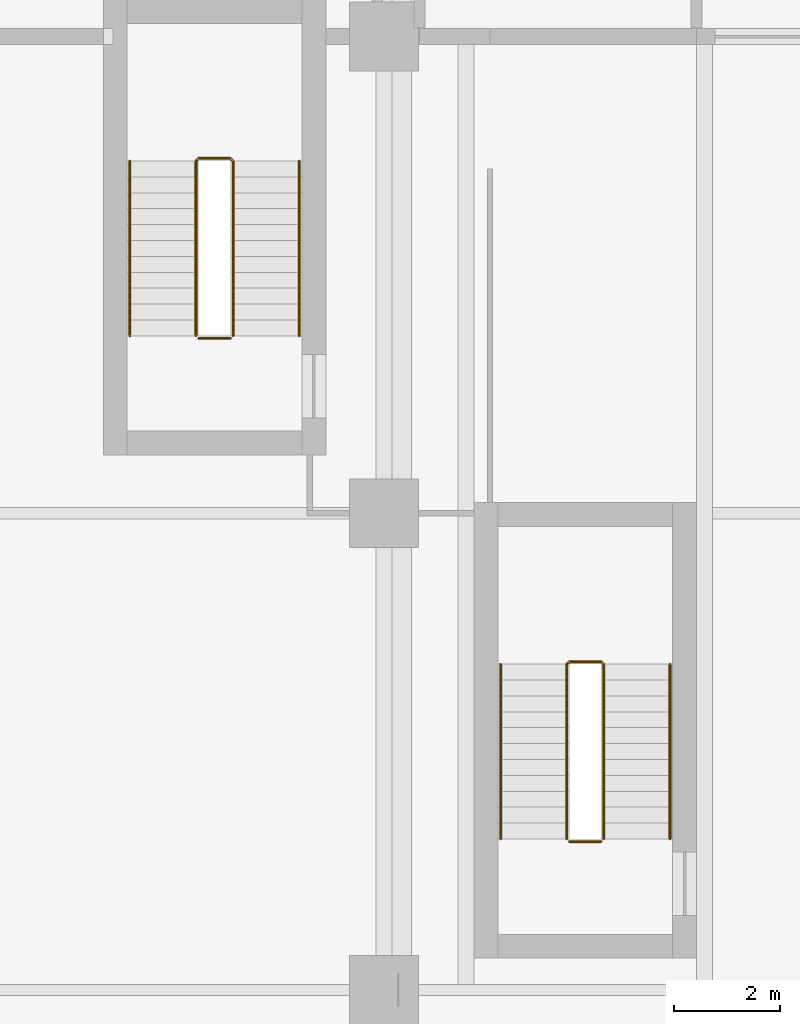
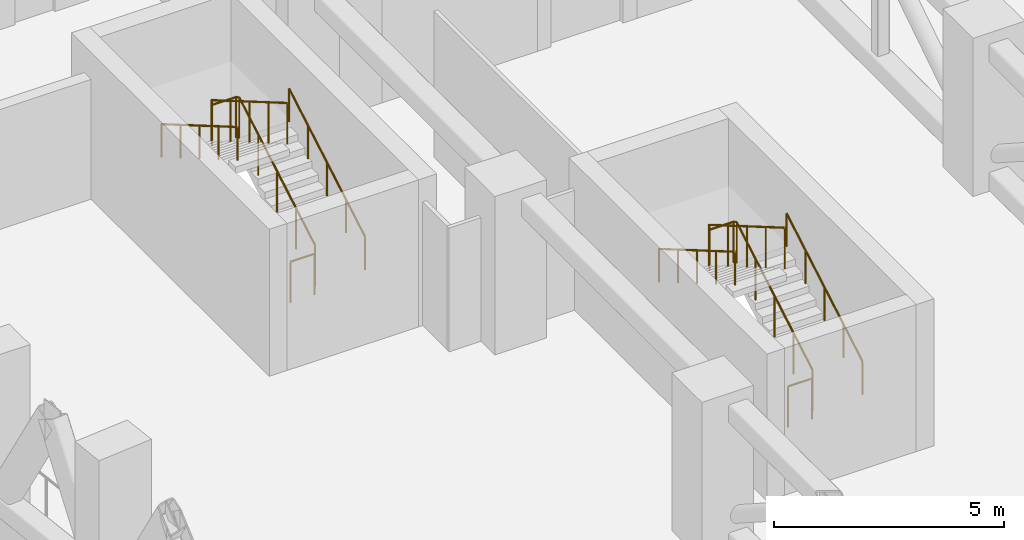
# One storey, part 23 of 25: 8 railings.
"""IFC4 building model written with IfcOpenShell, lengths in metres."""

from ifc_helpers import new_model, si_unit, direction, frame, origin, origin_2d, place, context, subcontext, project, spatial, circle, extrude, material, type_object, element, save


model = new_model("IFC4")

# Units and contexts
model_context = context("Model", 3, precision=1e-05, world=origin(), true_north=direction((0.0, 1.0)))
body_context = subcontext(model_context, "Body", "Model", "MODEL_VIEW")
ifc_project = project(units=[si_unit("LENGTHUNIT", "METRE"), si_unit("AREAUNIT", "SQUARE_METRE"), si_unit("VOLUMEUNIT", "CUBIC_METRE"), si_unit("PLANEANGLEUNIT", "RADIAN"), si_unit("MASSUNIT", "GRAM", prefix="KILO")], contexts=[model_context])

# Site, building, storey
site_placement = place(None, origin())
site = spatial("IfcSite", under=ifc_project, at=site_placement, CompositionType="ELEMENT")
building_placement = place(site_placement, origin())
building = spatial("IfcBuilding", under=site, at=building_placement, Name="Brondeck Convention Tower", CompositionType="ELEMENT")
storey_placement = place(building_placement, frame((0.0, 0.0, 84.300048828125)))
storey = spatial("IfcBuildingStorey", under=building, at=storey_placement, Name="L19", CompositionType="ELEMENT", Elevation=84.300048828125)

# Railings
ifc_material = material(Name="Steel S355", Category="steel")
railing_type_1 = type_object("IfcRailingType", Name="Stair guard 1100", PredefinedType="GUARDRAIL", material=ifc_material)
railing_1_placement = place(storey_placement, frame((9.14990234375, 21.35009765625, 0.175048828125)))
element("IfcRailing", 1, at=railing_1_placement, inside=storey, type_object=railing_type_1, Name="L19 ST-BE stair guard 1", PredefinedType="GUARDRAIL", context=body_context, shape_type="SweptSolid", body=[
    extrude(circle(Radius=0.02392578125, at=origin_2d()), frame((0.0, 0.0, 1.076171875), z_axis=(0.0, 0.863788172461, 0.503855131081), x_axis=(-1.0, 0.0, 0.0)), (0.0, 0.0, 1.0), 3.820068359375),
    extrude(circle(Radius=0.02392578125, at=origin_2d()), frame((0.0, 3.2998046875, 3.0009765625), z_axis=(-0.705375805398, 0.708833529934, 0.0), x_axis=(-0.708833529934, -0.705375805398, 0.0)), (0.0, 0.0, 1.0), 0.070556640625),
    extrude(circle(Radius=0.02392578125, at=origin_2d()), frame((-0.0498046875, 3.349853515625, 3.0009765625), z_axis=(-1.0, 0.0, 0.0), x_axis=(0.0, -1.0, 0.0)), (0.0, 0.0, 1.0), 0.60009765625),
    extrude(circle(Radius=0.02392578125, at=origin_2d()), frame((-0.64990234375, 3.349853515625, 3.0009765625), z_axis=(-0.265065253269, -0.265065253269, 0.927081885822), x_axis=(0.707106781187, -0.707106781187, 0.0)), (0.0, 0.0, 1.0), 0.188720703125),
    extrude(circle(Radius=0.02392578125, at=origin_2d()), frame((-0.699951171875, 3.2998046875, 3.17578125), z_axis=(0.0, -0.863760357493, 0.503902812876), x_axis=(1.0, 0.0, 0.0)), (0.0, 0.0, 1.0), 3.8203125),
    extrude(circle(Radius=0.02099609375, at=origin_2d()), origin(), (0.0, 0.0, 1.0), 1.052001953125),
    extrude(circle(Radius=0.02099609375, at=origin_2d()), frame((0.0, 0.824951171875, 0.481201171875)), (0.0, 0.0, 1.0), 1.052001953125),
    extrude(circle(Radius=0.02099609375, at=origin_2d()), frame((0.0, 1.64990234375, 0.96240234375)), (0.0, 0.0, 1.0), 1.052001953125),
    extrude(circle(Radius=0.02099609375, at=origin_2d()), frame((0.0, 2.474853515625, 1.443603515625)), (0.0, 0.0, 1.0), 1.052001953125),
    extrude(circle(Radius=0.02099609375, at=origin_2d()), frame((0.0, 3.2998046875, 1.9248046875)), (0.0, 0.0, 1.0), 1.052001953125),
    extrude(circle(Radius=0.02099609375, at=origin_2d()), frame((-0.0498046875, 3.349853515625, 1.9248046875)), (0.0, 0.0, 1.0), 1.052001953125),
    extrude(circle(Radius=0.02099609375, at=origin_2d()), frame((-0.64990234375, 3.349853515625, 1.9248046875)), (0.0, 0.0, 1.0), 1.052001953125),
    extrude(circle(Radius=0.02099609375, at=origin_2d()), frame((-0.699951171875, 3.2998046875, 2.099853515625)), (0.0, 0.0, 1.0), 1.052001953125),
    extrude(circle(Radius=0.02099609375, at=origin_2d()), frame((-0.699951171875, 2.474853515625, 2.5810546875)), (0.0, 0.0, 1.0), 1.052001953125),
    extrude(circle(Radius=0.02099609375, at=origin_2d()), frame((-0.699951171875, 1.64990234375, 3.0625)), (0.0, 0.0, 1.0), 1.052001953125),
    extrude(circle(Radius=0.02099609375, at=origin_2d()), frame((-0.699951171875, 0.824951171875, 3.543701171875)), (0.0, 0.0, 1.0), 1.052001953125),
    extrude(circle(Radius=0.02099609375, at=origin_2d()), frame((-0.699951171875, 0.0, 4.02490234375)), (0.0, 0.0, 1.0), 1.052001953125),
])
railing_2_placement = place(storey_placement, frame((9.10009765625, 21.300048828125, 0.0)))
element("IfcRailing", 2, at=railing_2_placement, inside=storey, type_object=railing_type_1, Name="L19 ST-BE stair guard 2", PredefinedType="GUARDRAIL", context=body_context, shape_type="SweptSolid", body=[
    extrude(circle(Radius=0.02392578125, at=origin_2d()), frame((0.0, 0.0, 1.076171875), z_axis=(-1.0, 0.0, 0.0), x_axis=(0.0, -1.0, 0.0)), (0.0, 0.0, 1.0), 0.60009765625),
    extrude(circle(Radius=0.02099609375, at=origin_2d()), origin(), (0.0, 0.0, 1.0), 1.052001953125),
    extrude(circle(Radius=0.02099609375, at=origin_2d()), frame((-0.60009765625, 0.0, 0.0)), (0.0, 0.0, 1.0), 1.052001953125),
])
railing_3_placement = place(storey_placement, frame((16.14990234375, 11.85009765625, 0.175048828125)))
element("IfcRailing", 3, at=railing_3_placement, inside=storey, type_object=railing_type_1, Name="L19 ST-BF stair guard 1", PredefinedType="GUARDRAIL", context=body_context, shape_type="SweptSolid", body=[
    extrude(circle(Radius=0.02392578125, at=origin_2d()), frame((0.0, 0.0, 1.076171875), z_axis=(0.0, 0.863788172461, 0.503855131081), x_axis=(-1.0, 0.0, 0.0)), (0.0, 0.0, 1.0), 3.820068359375),
    extrude(circle(Radius=0.02392578125, at=origin_2d()), frame((0.0, 3.2998046875, 3.0009765625), z_axis=(-0.705375805398, 0.708833529934, 0.0), x_axis=(-0.708833529934, -0.705375805398, 0.0)), (0.0, 0.0, 1.0), 0.070556640625),
    extrude(circle(Radius=0.02392578125, at=origin_2d()), frame((-0.0498046875, 3.349853515625, 3.0009765625), z_axis=(-1.0, 0.0, 0.0), x_axis=(0.0, -1.0, 0.0)), (0.0, 0.0, 1.0), 0.60009765625),
    extrude(circle(Radius=0.02392578125, at=origin_2d()), frame((-0.64990234375, 3.349853515625, 3.0009765625), z_axis=(-0.265065253269, -0.265065253269, 0.927081885822), x_axis=(0.707106781187, -0.707106781187, 0.0)), (0.0, 0.0, 1.0), 0.188720703125),
    extrude(circle(Radius=0.02392578125, at=origin_2d()), frame((-0.699951171875, 3.2998046875, 3.17578125), z_axis=(0.0, -0.863760357493, 0.503902812876), x_axis=(1.0, 0.0, 0.0)), (0.0, 0.0, 1.0), 3.8203125),
    extrude(circle(Radius=0.02099609375, at=origin_2d()), origin(), (0.0, 0.0, 1.0), 1.052001953125),
    extrude(circle(Radius=0.02099609375, at=origin_2d()), frame((0.0, 0.824951171875, 0.481201171875)), (0.0, 0.0, 1.0), 1.052001953125),
    extrude(circle(Radius=0.02099609375, at=origin_2d()), frame((0.0, 1.64990234375, 0.96240234375)), (0.0, 0.0, 1.0), 1.052001953125),
    extrude(circle(Radius=0.02099609375, at=origin_2d()), frame((0.0, 2.474853515625, 1.443603515625)), (0.0, 0.0, 1.0), 1.052001953125),
    extrude(circle(Radius=0.02099609375, at=origin_2d()), frame((0.0, 3.2998046875, 1.9248046875)), (0.0, 0.0, 1.0), 1.052001953125),
    extrude(circle(Radius=0.02099609375, at=origin_2d()), frame((-0.0498046875, 3.349853515625, 1.9248046875)), (0.0, 0.0, 1.0), 1.052001953125),
    extrude(circle(Radius=0.02099609375, at=origin_2d()), frame((-0.64990234375, 3.349853515625, 1.9248046875)), (0.0, 0.0, 1.0), 1.052001953125),
    extrude(circle(Radius=0.02099609375, at=origin_2d()), frame((-0.699951171875, 3.2998046875, 2.099853515625)), (0.0, 0.0, 1.0), 1.052001953125),
    extrude(circle(Radius=0.02099609375, at=origin_2d()), frame((-0.699951171875, 2.474853515625, 2.5810546875)), (0.0, 0.0, 1.0), 1.052001953125),
    extrude(circle(Radius=0.02099609375, at=origin_2d()), frame((-0.699951171875, 1.64990234375, 3.0625)), (0.0, 0.0, 1.0), 1.052001953125),
    extrude(circle(Radius=0.02099609375, at=origin_2d()), frame((-0.699951171875, 0.824951171875, 3.543701171875)), (0.0, 0.0, 1.0), 1.052001953125),
    extrude(circle(Radius=0.02099609375, at=origin_2d()), frame((-0.699951171875, 0.0, 4.02490234375)), (0.0, 0.0, 1.0), 1.052001953125),
])
railing_4_placement = place(storey_placement, frame((16.10009765625, 11.800048828125, 0.0)))
element("IfcRailing", 4, at=railing_4_placement, inside=storey, type_object=railing_type_1, Name="L19 ST-BF stair guard 2", PredefinedType="GUARDRAIL", context=body_context, shape_type="SweptSolid", body=[
    extrude(circle(Radius=0.02392578125, at=origin_2d()), frame((0.0, 0.0, 1.076171875), z_axis=(-1.0, 0.0, 0.0), x_axis=(0.0, -1.0, 0.0)), (0.0, 0.0, 1.0), 0.60009765625),
    extrude(circle(Radius=0.02099609375, at=origin_2d()), origin(), (0.0, 0.0, 1.0), 1.052001953125),
    extrude(circle(Radius=0.02099609375, at=origin_2d()), frame((-0.60009765625, 0.0, 0.0)), (0.0, 0.0, 1.0), 1.052001953125),
])
railing_type_2 = type_object("IfcRailingType", Name="Stair handrail", PredefinedType="HANDRAIL", material=ifc_material)
railing_5_placement = place(storey_placement, frame((10.39990234375, 21.35009765625, 0.175048828125)))
element("IfcRailing", 5, at=railing_5_placement, inside=storey, type_object=railing_type_2, Name="L19 ST-BE stair handrail 1", PredefinedType="HANDRAIL", context=body_context, shape_type="SweptSolid", body=[
    extrude(circle(Radius=0.02392578125, at=origin_2d()), frame((0.0, 0.0, 0.8759765625), z_axis=(0.0, 0.863788172461, 0.503855131081), x_axis=(-1.0, 0.0, 0.0)), (0.0, 0.0, 1.0), 3.820068359375),
    extrude(circle(Radius=0.02099609375, at=origin_2d()), origin(), (0.0, 0.0, 1.0), 0.851806640625),
    extrude(circle(Radius=0.02099609375, at=origin_2d()), frame((0.0, 0.824951171875, 0.481201171875)), (0.0, 0.0, 1.0), 0.851806640625),
    extrude(circle(Radius=0.02099609375, at=origin_2d()), frame((0.0, 1.64990234375, 0.96240234375)), (0.0, 0.0, 1.0), 0.851806640625),
    extrude(circle(Radius=0.02099609375, at=origin_2d()), frame((0.0, 2.474853515625, 1.443603515625)), (0.0, 0.0, 1.0), 0.851806640625),
    extrude(circle(Radius=0.02099609375, at=origin_2d()), frame((0.0, 3.2998046875, 1.9248046875)), (0.0, 0.0, 1.0), 0.851806640625),
])
railing_6_placement = place(storey_placement, frame((7.199951171875, 24.64990234375, 2.27490234375)))
element("IfcRailing", 6, at=railing_6_placement, inside=storey, type_object=railing_type_2, Name="L19 ST-BE stair handrail 2", PredefinedType="HANDRAIL", context=body_context, shape_type="SweptSolid", body=[
    extrude(circle(Radius=0.02392578125, at=origin_2d()), frame((0.0, 0.0, 0.8759765625), z_axis=(0.0, -0.863760357493, 0.503902812876), x_axis=(1.0, 0.0, 0.0)), (0.0, 0.0, 1.0), 3.8203125),
    extrude(circle(Radius=0.02099609375, at=origin_2d()), origin(), (0.0, 0.0, 1.0), 0.851806640625),
    extrude(circle(Radius=0.02099609375, at=origin_2d()), frame((0.0, -0.824951171875, 0.481201171875)), (0.0, 0.0, 1.0), 0.851806640625),
    extrude(circle(Radius=0.02099609375, at=origin_2d()), frame((0.0, -1.64990234375, 0.96240234375)), (0.0, 0.0, 1.0), 0.851806640625),
    extrude(circle(Radius=0.02099609375, at=origin_2d()), frame((0.0, -2.474853515625, 1.44384765625)), (0.0, 0.0, 1.0), 0.851806640625),
    extrude(circle(Radius=0.02099609375, at=origin_2d()), frame((0.0, -3.2998046875, 1.925048828125)), (0.0, 0.0, 1.0), 0.851806640625),
])
railing_7_placement = place(storey_placement, frame((17.39990234375, 11.85009765625, 0.175048828125)))
element("IfcRailing", 7, at=railing_7_placement, inside=storey, type_object=railing_type_2, Name="L19 ST-BF stair handrail 1", PredefinedType="HANDRAIL", context=body_context, shape_type="SweptSolid", body=[
    extrude(circle(Radius=0.02392578125, at=origin_2d()), frame((0.0, 0.0, 0.8759765625), z_axis=(0.0, 0.863788172461, 0.503855131081), x_axis=(-1.0, 0.0, 0.0)), (0.0, 0.0, 1.0), 3.820068359375),
    extrude(circle(Radius=0.02099609375, at=origin_2d()), origin(), (0.0, 0.0, 1.0), 0.851806640625),
    extrude(circle(Radius=0.02099609375, at=origin_2d()), frame((0.0, 0.824951171875, 0.481201171875)), (0.0, 0.0, 1.0), 0.851806640625),
    extrude(circle(Radius=0.02099609375, at=origin_2d()), frame((0.0, 1.64990234375, 0.96240234375)), (0.0, 0.0, 1.0), 0.851806640625),
    extrude(circle(Radius=0.02099609375, at=origin_2d()), frame((0.0, 2.474853515625, 1.443603515625)), (0.0, 0.0, 1.0), 0.851806640625),
    extrude(circle(Radius=0.02099609375, at=origin_2d()), frame((0.0, 3.2998046875, 1.9248046875)), (0.0, 0.0, 1.0), 0.851806640625),
])
railing_8_placement = place(storey_placement, frame((14.199951171875, 15.14990234375, 2.27490234375)))
element("IfcRailing", 8, at=railing_8_placement, inside=storey, type_object=railing_type_2, Name="L19 ST-BF stair handrail 2", PredefinedType="HANDRAIL", context=body_context, shape_type="SweptSolid", body=[
    extrude(circle(Radius=0.02392578125, at=origin_2d()), frame((0.0, 0.0, 0.8759765625), z_axis=(0.0, -0.863760357493, 0.503902812876), x_axis=(1.0, 0.0, 0.0)), (0.0, 0.0, 1.0), 3.8203125),
    extrude(circle(Radius=0.02099609375, at=origin_2d()), origin(), (0.0, 0.0, 1.0), 0.851806640625),
    extrude(circle(Radius=0.02099609375, at=origin_2d()), frame((0.0, -0.824951171875, 0.481201171875)), (0.0, 0.0, 1.0), 0.851806640625),
    extrude(circle(Radius=0.02099609375, at=origin_2d()), frame((0.0, -1.64990234375, 0.96240234375)), (0.0, 0.0, 1.0), 0.851806640625),
    extrude(circle(Radius=0.02099609375, at=origin_2d()), frame((0.0, -2.474853515625, 1.44384765625)), (0.0, 0.0, 1.0), 0.851806640625),
    extrude(circle(Radius=0.02099609375, at=origin_2d()), frame((0.0, -3.2998046875, 1.925048828125)), (0.0, 0.0, 1.0), 0.851806640625),
])

save(model, "model.ifc")
